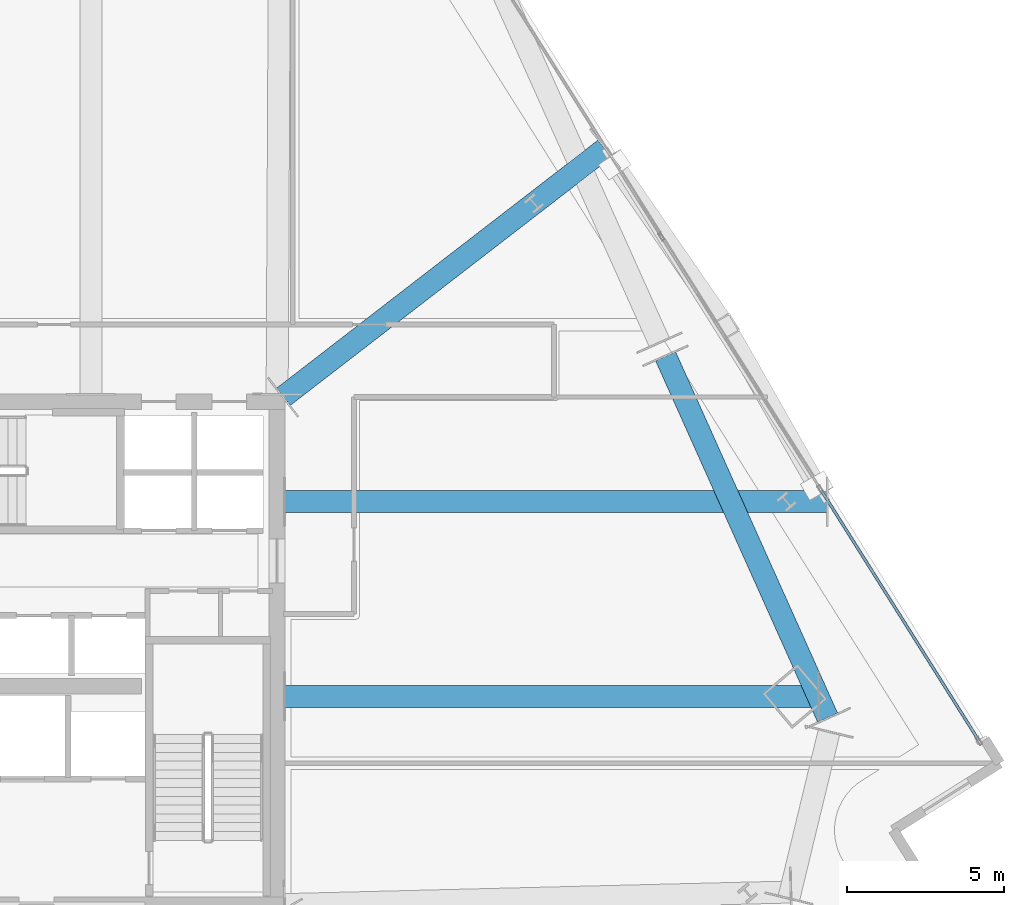
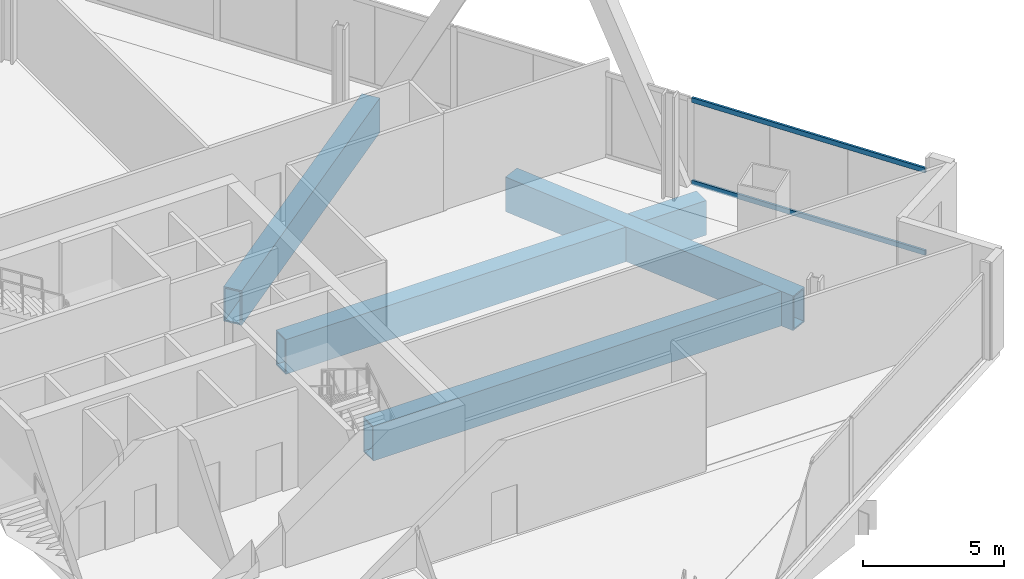
# One storey, part 15 of 29: 4 beams, 2 members, 1 element without a shape of its own.
"""IFC4 building model written with IfcOpenShell, lengths in metres."""

import ifcopenshell
import ifcopenshell.guid

model = None  # the IFC model being written
_history = None  # IfcOwnerHistory: only IFC2X3 demands one
_inside = {}  # id of a spatial element -> (the spatial element, [elements in it])
_under = {}  # id of a project, library or spatial element -> (it, [spatial elements below it])
_declared = {}  # id of a project -> (the project, [libraries it declares])
_typed = {}  # id of a type object -> (the type object, [elements of that type])
_made_of = {}  # id of a material, layer set ... -> (it, [elements and type objects made of it])


def new_model(schema):
    """Start an empty IFC model of exactly this schema.

    Asked for "IFC4X3", IfcOpenShell would pick the latest addendum, in which some entities
    have other attributes; the version numbers below select the first issue.
    IFC2X3 requires an IfcOwnerHistory on every rooted entity: one is made here for all.
    """
    global model, _history
    if schema == "IFC4X3":
        model = ifcopenshell.file(schema_version=(4, 3, 0, 0))
    else:
        model = ifcopenshell.file(schema=schema)
    _inside.clear()
    _under.clear()
    _declared.clear()
    _typed.clear()
    _made_of.clear()
    _history = None
    if model.schema == "IFC2X3":
        org = make("IfcOrganization", Name="unknown")
        user = make(
            "IfcPersonAndOrganization",
            ThePerson=make("IfcPerson", FamilyName="unknown"),
            TheOrganization=org,
        )
        app = make(
            "IfcApplication",
            ApplicationDeveloper=org,
            Version="unknown",
            ApplicationFullName="unknown",
            ApplicationIdentifier="unknown",
        )
        _history = make(
            "IfcOwnerHistory",
            OwningUser=user,
            OwningApplication=app,
            ChangeAction="ADDED",
            CreationDate=0,
        )
    return model


def make(cls, **values):
    """One entity of the class cls with the attributes given. An attribute that is None is left unset."""
    return model.create_entity(
        cls, **{name: value for name, value in values.items() if value is not None}
    )


def rooted(cls, **values):
    """An entity with a GlobalId (a new one), such as an element, a storey or a relation."""
    return make(cls, GlobalId=ifcopenshell.guid.new(), OwnerHistory=_history, **values)


def si_unit(unit_type, name, prefix=None):
    """IfcSIUnit, for example si_unit("LENGTHUNIT", "METRE", prefix="MILLI")."""
    return make("IfcSIUnit", UnitType=unit_type, Prefix=prefix, Name=name)


def assignment(units):
    """IfcUnitAssignment: the units of a project."""
    return None if units is None else make("IfcUnitAssignment", Units=units)


def point(xyz):
    """IfcCartesianPoint."""
    return None if xyz is None else make("IfcCartesianPoint", Coordinates=xyz)


def direction(xyz):
    """IfcDirection."""
    return None if xyz is None else make("IfcDirection", DirectionRatios=xyz)


def frame(location, z_axis=None, x_axis=None):
    """IfcAxis2Placement3D, a coordinate frame: its origin and axes. An axis left out is left unset."""
    return make(
        "IfcAxis2Placement3D",
        Location=point(location),
        Axis=direction(z_axis),
        RefDirection=direction(x_axis),
    )


def frame_2d(location, x_axis=None):
    """IfcAxis2Placement2D, a coordinate frame in the plane: its origin and x axis."""
    return make(
        "IfcAxis2Placement2D", Location=point(location), RefDirection=direction(x_axis)
    )


def origin():
    """The frame at (0, 0, 0) with its axes left unset."""
    return frame((0.0, 0.0, 0.0))


def origin_2d():
    """The frame at (0, 0) in the plane with its x axis left unset."""
    return frame_2d((0.0, 0.0))


def place(relative_to, where):
    """IfcLocalPlacement: puts the frame where relative to a parent placement (None: the world)."""
    return make(
        "IfcLocalPlacement", PlacementRelTo=relative_to, RelativePlacement=where
    )


def context(
    kind, dimensions, precision=None, world=None, true_north=None, identifier=None
):
    """IfcGeometricRepresentationContext, for example the 3D "Model" context."""
    return make(
        "IfcGeometricRepresentationContext",
        ContextIdentifier=identifier,
        ContextType=kind,
        CoordinateSpaceDimension=dimensions,
        Precision=precision,
        WorldCoordinateSystem=world,
        TrueNorth=true_north,
    )


def subcontext(parent, identifier, kind, view, scale=None):
    """IfcGeometricRepresentationSubContext, for example "Body" below "Model"."""
    return make(
        "IfcGeometricRepresentationSubContext",
        ContextIdentifier=identifier,
        ContextType=kind,
        ParentContext=parent,
        TargetScale=scale,
        TargetView=view,
    )


def project(units=None, contexts=None):
    """IfcProject with its units and contexts."""
    return rooted(
        "IfcProject",
        Name="project",
        RepresentationContexts=contexts,
        UnitsInContext=assignment(units),
    )


def spatial(cls, under=None, at=None, **own):
    """A site, building, storey or space (cls), placed at a placement, below another one or the project."""
    s = rooted(cls, ObjectPlacement=at, **own)
    if under is not None:
        _under.setdefault(under.id(), (under, []))[1].append(s)
    return s


def profile(cls, at=None, kind="AREA", **sizes):
    """A parametric profile (cls). Its sizes go by their IFC names, for example OverallWidth=200.0."""
    return make(cls, ProfileType=kind, Position=at, **sizes)


def hollow_rectangle(**sizes):
    """IfcRectangleHollowProfileDef."""
    return profile("IfcRectangleHollowProfileDef", **sizes)


def extrude(swept, where, along, depth):
    """IfcExtrudedAreaSolid: the profile swept, set in the frame where, extruded along a direction by depth."""
    return make(
        "IfcExtrudedAreaSolid",
        SweptArea=swept,
        Position=where,
        ExtrudedDirection=direction(along),
        Depth=depth,
    )


def shape(context_of_items, identifier, shape_type, items):
    """IfcShapeRepresentation: the items that make up one representation, for example the "Body"."""
    return make(
        "IfcShapeRepresentation",
        ContextOfItems=context_of_items,
        RepresentationIdentifier=identifier,
        RepresentationType=shape_type,
        Items=items,
    )


def material(Name=None, Category=None):
    """IfcMaterial."""
    return make("IfcMaterial", Name=Name, Category=Category)


def material_profile(
    of_material, cross_section, Name=None, Category=None, Priority=None
):
    """IfcMaterialProfile: a cross section and its material."""
    return make(
        "IfcMaterialProfile",
        Name=Name,
        Material=of_material,
        Profile=cross_section,
        Priority=Priority,
        Category=Category,
    )


def profile_set(profiles, Name=None, composite=None):
    """IfcMaterialProfileSet."""
    return make(
        "IfcMaterialProfileSet",
        Name=Name,
        MaterialProfiles=profiles,
        CompositeProfile=composite,
    )


def made_of(thing, what):
    """Note that an element or type object is made of a material, layer set ...; save() writes the relation."""
    if what is not None:
        _made_of.setdefault(what.id(), (what, []))[1].append(thing)
    return thing


def type_object(cls, material=None, **own):
    """A type object (cls), such as IfcWallType, which elements share."""
    return made_of(rooted(cls, **own), material)


def element(
    cls,
    number,
    at=None,
    inside=None,
    cuts=None,
    type_object=None,
    material=None,
    context=None,
    identifier="Body",
    shape_type=None,
    held_by="IfcProductDefinitionShape",
    body=None,
    shapes=None,
    **own,
):
    """One element of the class cls, such as IfcWall. Its Tag is "e" and its number.

    at: its placement. inside: the storey or other place that contains it. cuts: it is an
    opening in that element (IfcRelVoidsElement). A single representation is given by context,
    identifier, shape_type and body (its items); several are given by shapes. held_by: the class
    of the entity that holds the representations. save() writes the other relations.
    """
    e = rooted(cls, Tag="e%d" % number, ObjectPlacement=at, **own)
    if body is not None:
        shapes = [shape(context, identifier, shape_type, body)]
    if shapes is not None:
        e.Representation = make(held_by, Representations=shapes)
    if inside is not None:
        _inside.setdefault(inside.id(), (inside, []))[1].append(e)
    if cuts is not None:
        rooted(
            "IfcRelVoidsElement", RelatingBuildingElement=cuts, RelatedOpeningElement=e
        )
    if type_object is not None:
        _typed.setdefault(type_object.id(), (type_object, []))[1].append(e)
    return made_of(e, material)


def aggregate(whole, parts):
    """IfcRelAggregates: a whole, such as a stair, and the parts it consists of."""
    return rooted("IfcRelAggregates", RelatingObject=whole, RelatedObjects=parts)


def save(model, path):
    """Write the relations noted so far, then the file.

    IfcRelAggregates (storeys below a building ...), IfcRelContainedInSpatialStructure (elements
    in a storey), IfcRelDefinesByType, IfcRelAssociatesMaterial and IfcRelDeclares: one each for
    every whole, place, type object, material and project.
    """
    for whole, parts in _under.values():
        aggregate(whole, parts)
    for where, things in _inside.values():
        rooted(
            "IfcRelContainedInSpatialStructure",
            RelatedElements=things,
            RelatingStructure=where,
        )
    for kind, things in _typed.values():
        rooted("IfcRelDefinesByType", RelatedObjects=things, RelatingType=kind)
    for what, things in _made_of.values():
        rooted("IfcRelAssociatesMaterial", RelatedObjects=things, RelatingMaterial=what)
    for by, libraries in _declared.values():
        rooted("IfcRelDeclares", RelatingContext=by, RelatedDefinitions=libraries)
    model.write(path)


model = new_model("IFC4")

# Units and contexts
model_context = context("Model", 3, precision=1e-05, world=origin(), true_north=direction((0.0, 1.0)))
body_context = subcontext(model_context, "Body", "Model", "MODEL_VIEW")
ifc_project = project(units=[si_unit("LENGTHUNIT", "METRE"), si_unit("AREAUNIT", "SQUARE_METRE"), si_unit("VOLUMEUNIT", "CUBIC_METRE"), si_unit("PLANEANGLEUNIT", "RADIAN"), si_unit("MASSUNIT", "GRAM", prefix="KILO")], contexts=[model_context])

# Site, building, storey
site_placement = place(None, origin())
site = spatial("IfcSite", under=ifc_project, at=site_placement, CompositionType="ELEMENT")
building_placement = place(site_placement, origin())
building = spatial("IfcBuilding", under=site, at=building_placement, Name="Haldenkirk Collegiate Tower", CompositionType="ELEMENT")
storey_placement = place(building_placement, frame((0.0, 0.0, 136.199951171875)))
storey = spatial("IfcBuildingStorey", under=building, at=storey_placement, Name="L33", CompositionType="ELEMENT", Elevation=136.199951171875)

# Beams
ifc_material_1 = material(Name="Steel ASTM A572 Grade 50", Category="steel")
ifc_material_profile_1 = material_profile(ifc_material_1, hollow_rectangle(XDim=0.699951171875, YDim=1.5, WallThickness=0.06005859375, at=origin_2d()), Name="BOX1500X700X60")
ifc_profile_set_1 = profile_set([ifc_material_profile_1], Name="Steel ASTM A572 Grade 50")
beam_type = type_object("IfcBeamType", Name="BM-TRANSFER-BOX1500X700X60", PredefinedType="BEAM", material=ifc_profile_set_1)
beam_1_placement = place(storey_placement, frame((62.50830078125, 23.951416015625, -1.14990234375), z_axis=(-0.409131045523, 0.91247563671, 0.0), x_axis=(-0.91247563671, -0.409131045523, 0.0)))
element("IfcBeam", 1, at=beam_1_placement, inside=storey, type_object=beam_type, Name="L33 sky-lobby perimeter transfer girder 06", PredefinedType="BEAM", context=body_context, shape_type="SweptSolid", body=[
    extrude(hollow_rectangle(XDim=0.699951171875, YDim=1.5, WallThickness=0.06005859375, at=origin_2d()), origin(), (0.0, 0.0, 1.0), 12.593994140625),
])
beam_2_placement = place(storey_placement, frame((62.204345703125, 24.62890625, -1.14990234375), z_axis=(-1.0, 0.0, 0.0), x_axis=(0.0, -1.0, 0.0)))
element("IfcBeam", 2, at=beam_2_placement, inside=storey, type_object=beam_type, Name="L33 sky-lobby radial transfer girder 02", PredefinedType="BEAM", context=body_context, shape_type="SweptSolid", body=[
    extrude(hollow_rectangle(XDim=0.699951171875, YDim=1.5, WallThickness=0.06005859375, at=origin_2d()), origin(), (0.0, 0.0, 1.0), 16.949462890625),
])
beam_3_placement = place(storey_placement, frame((62.482421875, 30.82421875, -1.14990234375), z_axis=(-1.0, 0.0, 0.0), x_axis=(0.0, -1.0, 0.0)))
element("IfcBeam", 3, at=beam_3_placement, inside=storey, type_object=beam_type, Name="L33 sky-lobby radial transfer girder 08", PredefinedType="BEAM", context=body_context, shape_type="SweptSolid", body=[
    extrude(hollow_rectangle(XDim=0.699951171875, YDim=1.5, WallThickness=0.06005859375, at=origin_2d()), origin(), (0.0, 0.0, 1.0), 17.2275390625),
])
beam_4_placement = place(storey_placement, frame((55.41845703125, 42.041748046875, -1.14990234375), z_axis=(-0.791608139205, -0.611029094188, 0.0), x_axis=(0.611029094188, -0.791608139205, 0.0)))
element("IfcBeam", 4, at=beam_4_placement, inside=storey, type_object=beam_type, Name="L33 sky-lobby radial transfer girder 09", PredefinedType="BEAM", context=body_context, shape_type="SweptSolid", body=[
    extrude(hollow_rectangle(XDim=0.699951171875, YDim=1.5, WallThickness=0.06005859375, at=origin_2d()), origin(), (0.0, 0.0, 1.0), 12.906005859375),
])

# Curtain wall, members
ifc_material_2 = material(Name="Anodised architectural bronze aluminium", Category="aluminium")
curtain_wall_type = type_object("IfcCurtainWallType", Name="CW-SYS4-SKYGARDEN", PredefinedType="USERDEFINED", material=ifc_material_2)
curtain_wall_placement = place(storey_placement, origin())
curtain_wall = element("IfcCurtainWall", 5, at=curtain_wall_placement, inside=storey, type_object=curtain_wall_type, Name="L33 Sky-garden tall bronze curtain wall", ObjectType="UNITISED CURTAIN WALL", PredefinedType="USERDEFINED")
ifc_material_profile_2 = material_profile(ifc_material_2, hollow_rectangle(XDim=0.090087890625, YDim=0.2099609375, WallThickness=0.0048828125, at=origin_2d()), Name="CW-TRN-04")
ifc_profile_set_2 = profile_set([ifc_material_profile_2], Name="Anodised architectural bronze aluminium")
member_type = type_object("IfcMemberType", Name="CW-TRN-04", PredefinedType="USERDEFINED", material=ifc_profile_set_2)
member_1_placement = place(storey_placement, frame((62.311279296875, 31.171142578125, 0.045166015625), z_axis=(0.532873421322, -0.846194963852, 0.0), x_axis=(0.846194963852, 0.532873421322, 0.0)))
member_1 = element("IfcMember", 6, at=member_1_placement, type_object=member_type, Name="CW-04 transom 4.1", ObjectType="TRANSOM", PredefinedType="USERDEFINED", context=body_context, shape_type="SweptSolid", body=[
    extrude(hollow_rectangle(XDim=0.090087890625, YDim=0.2099609375, WallThickness=0.0048828125, at=origin_2d()), origin(), (0.0, 0.0, 1.0), 9.365234375),
])
member_2_placement = place(storey_placement, frame((62.311279296875, 31.171142578125, 3.615966796875), z_axis=(0.532873421322, -0.846194963852, 0.0), x_axis=(0.846194963852, 0.532873421322, 0.0)))
member_2 = element("IfcMember", 7, at=member_2_placement, type_object=member_type, Name="CW-04 transom 4.2", ObjectType="TRANSOM", PredefinedType="USERDEFINED", context=body_context, shape_type="SweptSolid", body=[
    extrude(hollow_rectangle(XDim=0.090087890625, YDim=0.2099609375, WallThickness=0.0048828125, at=origin_2d()), origin(), (0.0, 0.0, 1.0), 9.365234375),
])
aggregate(curtain_wall, [member_1, member_2])

save(model, "model.ifc")
